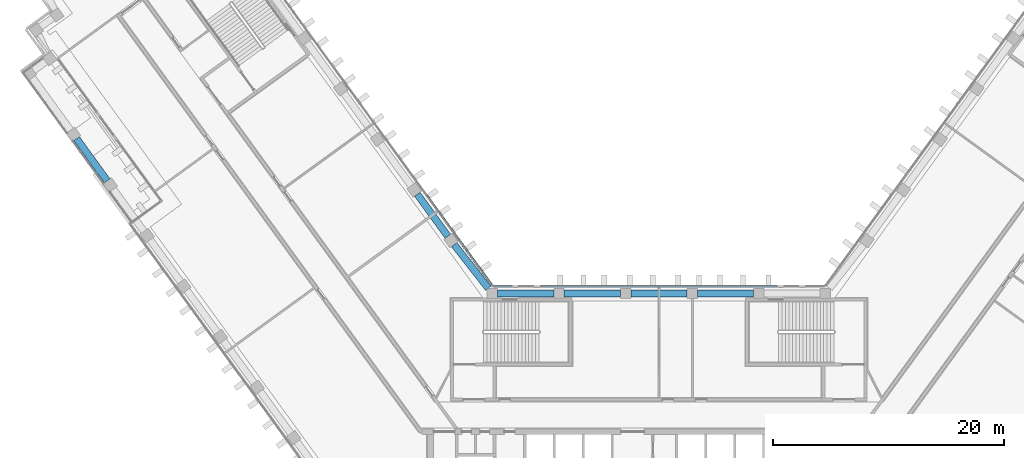
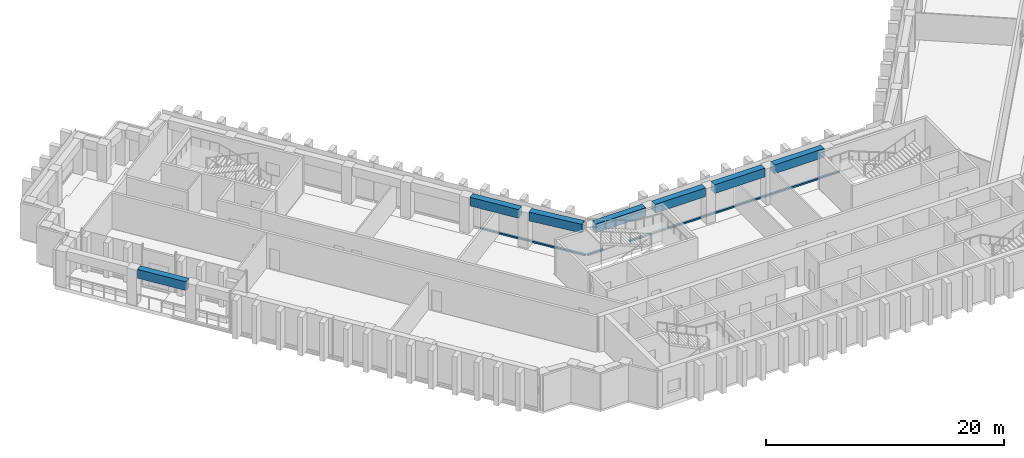
"""IFC4 building model written with IfcOpenShell, lengths in metres."""

from ifc_helpers import new_model, si_unit, direction, frame, origin, origin_2d, place, context, subcontext, project, spatial, rectangle, extrude, material, material_profile, profile_set, type_object, element, aggregate, save


model = new_model("IFC4")

# Units and contexts
model_context = context("Model", 3, precision=1e-05, world=origin(), true_north=direction((0.0, 1.0)))
body_context = subcontext(model_context, "Body", "Model", "MODEL_VIEW")
ifc_project = project(units=[si_unit("LENGTHUNIT", "METRE"), si_unit("AREAUNIT", "SQUARE_METRE"), si_unit("VOLUMEUNIT", "CUBIC_METRE"), si_unit("PLANEANGLEUNIT", "RADIAN"), si_unit("MASSUNIT", "GRAM", prefix="KILO")], contexts=[model_context])

# Site, building, storey
site_placement = place(None, origin())
site = spatial("IfcSite", under=ifc_project, at=site_placement, CompositionType="ELEMENT")
building_placement = place(site_placement, origin())
building = spatial("IfcBuilding", under=site, at=building_placement, Name="Quipu Civic Tower", CompositionType="ELEMENT")
storey_1_placement = place(building_placement, frame((0.0, 0.0, 39.0)))
storey_1 = spatial("IfcBuildingStorey", under=building, at=storey_1_placement, Name="L08", CompositionType="ELEMENT", Elevation=39.0)

# Beams
ifc_material_1 = material(Name="Concrete C50/60", Category="concrete")
ifc_material_profile_1 = material_profile(ifc_material_1, rectangle(XDim=0.60009765625, YDim=0.89990234375, at=origin_2d()), Name="RC600x900")
ifc_profile_set_1 = profile_set([ifc_material_profile_1], Name="Concrete C50/60")
beam_type = type_object("IfcBeamType", Name="Spandrel beam RC 600x900 C50/60", PredefinedType="SPANDREL", material=ifc_profile_set_1)
for number, where, z_axis, x_axis, name in (
    (1, (-18.238037109375, 15.43896484375, 3.199951171875), (-0.587716763865, 0.809066749701, 0.0), (-0.809066749701, -0.587716763865, 0.0), "Spandrel beam L08 W-IN-01 to W-IN-02"),
    (2, (-50.327880859375, 23.87939453125, 3.199951171875), (0.587778073121, -0.809022210299, 0.0), (0.809022210299, 0.587778073121, 0.0), "Spandrel beam L08 W-OUT-07 to W-OUT-06"),
):
    element("IfcBeam", number, at=place(storey_1_placement, frame(where, z_axis=z_axis, x_axis=x_axis)), inside=storey_1, type_object=beam_type, Name=name, PredefinedType="SPANDREL", context=body_context, shape_type="SweptSolid", body=[
        extrude(rectangle(XDim=0.60009765625, YDim=0.89990234375, at=origin_2d()), origin(), (0.0, 0.0, 1.0), 4.5),
    ])
for number, where, z_axis, x_axis, name in (
    (3, (8.18701171875, 10.5, 3.199951171875), (-1.0, 0.0, 0.0), (0.0, -1.0, 0.0), "Spandrel beam L08 FRONT-01 to FRONT-02"),
    (4, (2.428955078125, 10.5, 3.199951171875), (-1.0, 0.0, 0.0), (0.0, -1.0, 0.0), "Spandrel beam L08 FRONT-02 to FRONT-03"),
    (5, (-3.3291015625, 10.5, 3.199951171875), (-1.0, 0.0, 0.0), (0.0, -1.0, 0.0), "Spandrel beam L08 FRONT-03 to FRONT-04"),
):
    element("IfcBeam", number, at=place(storey_1_placement, frame(where, z_axis=z_axis, x_axis=x_axis)), inside=storey_1, type_object=beam_type, Name=name, PredefinedType="SPANDREL", context=body_context, shape_type="SweptSolid", body=[
        extrude(rectangle(XDim=0.60009765625, YDim=0.89990234375, at=origin_2d()), origin(), (0.0, 0.0, 1.0), 4.85791015625),
    ])
beam_1_placement = place(storey_1_placement, frame((-9.087158203125, 10.5, 3.199951171875), z_axis=(-1.0, 0.0, 0.0), x_axis=(0.0, -1.0, 0.0)))
element("IfcBeam", 6, at=beam_1_placement, inside=storey_1, type_object=beam_type, Name="Spandrel beam L08 FRONT-04 to J-Wi.0", PredefinedType="SPANDREL", context=body_context, shape_type="SweptSolid", body=[
    extrude(rectangle(XDim=0.60009765625, YDim=0.89990234375, at=origin_2d()), origin(), (0.0, 0.0, 1.0), 4.858154296875),
])
beam_2_placement = place(storey_1_placement, frame((-14.7470703125, 10.949951171875, 3.199951171875), z_axis=(-0.616123961998, 0.787649200756, 0.0), x_axis=(-0.787649200756, -0.616123961998, 0.0)))
element("IfcBeam", 7, at=beam_2_placement, inside=storey_1, type_object=beam_type, Name="Spandrel beam L08 J-Wi.0 to W-IN-01", PredefinedType="SPANDREL", context=body_context, shape_type="SweptSolid", body=[
    extrude(rectangle(XDim=0.60009765625, YDim=0.89990234375, at=origin_2d()), origin(), (0.0, 0.0, 1.0), 4.78662109375),
])

# Storey
storey_2_placement = place(building_placement, frame((0.0, 0.0, 35.0)))
storey_2 = spatial("IfcBuildingStorey", under=building, at=storey_2_placement, Name="L07", CompositionType="ELEMENT", Elevation=35.0)

# Curtain wall, members
ifc_material_2 = material(Name="Insulated glass unit", Category="glass")
curtain_wall_type = type_object("IfcCurtainWallType", Name="Office curtain wall CW1", PredefinedType="NOTDEFINED", material=ifc_material_2)
curtain_wall_1_placement = place(storey_2_placement, origin())
curtain_wall_1 = element("IfcCurtainWall", 8, at=curtain_wall_1_placement, inside=storey_2, type_object=curtain_wall_type, Name="Office curtain wall CW1 L06 run 29", PredefinedType="NOTDEFINED")
ifc_material_3 = material(Name="Anodised aluminium", Category="aluminium")
ifc_material_profile_2 = material_profile(ifc_material_3, rectangle(XDim=0.199951171875, YDim=0.159912109375, at=origin_2d()), Name="RECT 200x160")
ifc_profile_set_2 = profile_set([ifc_material_profile_2], Name="Anodised aluminium")
member_type = type_object("IfcMemberType", Name="Transom CW1", PredefinedType="USERDEFINED", material=ifc_profile_set_2)
member_1_placement = place(storey_1_placement, frame((10.18359375, 11.10009765625, 0.080078125), z_axis=(-1.0, 0.0, 0.0), x_axis=(0.0, -1.0, 0.0)))
member_1 = element("IfcMember", 9, at=member_1_placement, inside=storey_1, type_object=member_type, Name="CW1 transom 1.3", ObjectType="TRANSOM", PredefinedType="USERDEFINED", context=body_context, shape_type="SweptSolid", body=[
    extrude(rectangle(XDim=0.199951171875, YDim=0.159912109375, at=origin_2d()), origin(), (0.0, 0.0, 1.0), 10.1435546875),
])
member_2_placement = place(storey_1_placement, frame((-0.0400390625, 11.10009765625, 0.080078125), z_axis=(-1.0, 0.0, 0.0), x_axis=(0.0, -1.0, 0.0)))
member_2 = element("IfcMember", 10, at=member_2_placement, inside=storey_1, type_object=member_type, Name="CW1 transom 2.3", ObjectType="TRANSOM", PredefinedType="USERDEFINED", context=body_context, shape_type="SweptSolid", body=[
    extrude(rectangle(XDim=0.199951171875, YDim=0.159912109375, at=origin_2d()), origin(), (0.0, 0.0, 1.0), 10.1435546875),
])
aggregate(curtain_wall_1, [member_1, member_2])

# Curtain wall, member
curtain_wall_2_placement = place(storey_2_placement, origin())
curtain_wall_2 = element("IfcCurtainWall", 11, at=curtain_wall_2_placement, inside=storey_2, type_object=curtain_wall_type, Name="Office curtain wall CW1 L06 run 31", PredefinedType="NOTDEFINED")
member_3_placement = place(storey_1_placement, frame((-12.735107421875, 11.10009765625, 0.080078125), z_axis=(-1.0, 0.0, 0.0), x_axis=(0.0, -1.0, 0.0)))
member_3 = element("IfcMember", 12, at=member_3_placement, inside=storey_1, type_object=member_type, Name="CW1 transom 1.3", ObjectType="TRANSOM", PredefinedType="USERDEFINED", context=body_context, shape_type="SweptSolid", body=[
    extrude(rectangle(XDim=0.199951171875, YDim=0.159912109375, at=origin_2d()), origin(), (0.0, 0.0, 1.0), 1.529052734375),
])
aggregate(curtain_wall_2, [member_3])

curtain_wall_3_placement = place(storey_2_placement, origin())
curtain_wall_3 = element("IfcCurtainWall", 13, at=curtain_wall_3_placement, inside=storey_2, type_object=curtain_wall_type, Name="Office curtain wall CW1 L06 run 32", PredefinedType="NOTDEFINED")
member_4_placement = place(storey_1_placement, frame((-14.39111328125, 11.164794921875, 0.080078125), z_axis=(-0.58779220199, 0.809011945079, 0.0), x_axis=(-0.809011945079, -0.58779220199, 0.0)))
member_4 = element("IfcMember", 14, at=member_4_placement, inside=storey_1, type_object=member_type, Name="CW1 transom 1.3", ObjectType="TRANSOM", PredefinedType="USERDEFINED", context=body_context, shape_type="SweptSolid", body=[
    extrude(rectangle(XDim=0.199951171875, YDim=0.159912109375, at=origin_2d()), origin(), (0.0, 0.0, 1.0), 9.64111328125),
])
aggregate(curtain_wall_3, [member_4])

save(model, "model.ifc")
